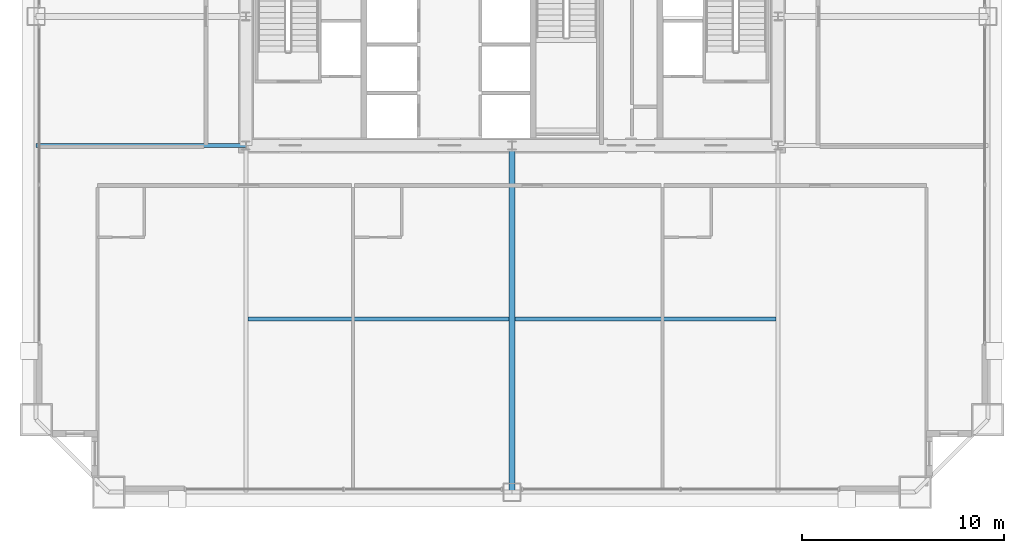
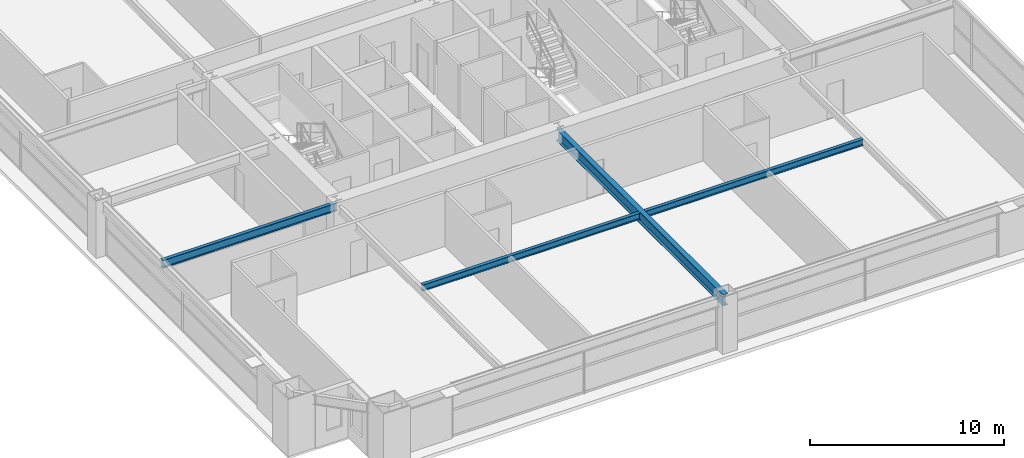
# One storey, part 10 of 37: 4 beams.
"""IFC4 building model written with IfcOpenShell, lengths in metres."""

from ifc_helpers import new_model, si_unit, direction, frame, origin, origin_2d, place, context, subcontext, project, spatial, i_section, extrude, source, transform, mapped, material, material_profile, profile_set, type_object, element, save


model = new_model("IFC4")

# Units and contexts
model_context = context("Model", 3, precision=1e-05, world=origin(), true_north=direction((0.0, 1.0)))
body_context = subcontext(model_context, "Body", "Model", "MODEL_VIEW")
ifc_project = project(units=[si_unit("LENGTHUNIT", "METRE"), si_unit("AREAUNIT", "SQUARE_METRE"), si_unit("VOLUMEUNIT", "CUBIC_METRE"), si_unit("PLANEANGLEUNIT", "RADIAN"), si_unit("MASSUNIT", "GRAM", prefix="KILO"), si_unit("THERMODYNAMICTEMPERATUREUNIT", "KELVIN"), si_unit("POWERUNIT", "WATT")], contexts=[model_context])

# Site, building, storey
site_placement = place(None, origin())
site = spatial("IfcSite", under=ifc_project, at=site_placement, CompositionType="ELEMENT")
building_placement = place(site_placement, origin())
building = spatial("IfcBuilding", under=site, at=building_placement, Name="Yuzanri Waterfront Tower", CompositionType="ELEMENT")
storey_placement = place(building_placement, frame((0.0, 0.0, 104.60009765625)))
storey = spatial("IfcBuildingStorey", under=building, at=storey_placement, Name="L27", CompositionType="ELEMENT", Elevation=104.60009765625)

# Beams
ifc_material_1 = material(Name="Steel Q355B", Category="steel")
ifc_material_profile_1 = material_profile(ifc_material_1, i_section(OverallWidth=0.199951171875, OverallDepth=0.39990234375, WebThickness=0.008056640625, FlangeThickness=0.012939453125, at=origin_2d()), Name="HN 400x200x8x13")
ifc_profile_set_1 = profile_set([ifc_material_profile_1], Name="Steel Q355B")
beam_type_1 = type_object("IfcBeamType", Name="Floor Joist Q355B HN 400x200", PredefinedType="JOIST", material=ifc_profile_set_1)
shared_shape_1 = source(origin(), body_context, "Body", "SweptSolid", [
    extrude(i_section(OverallWidth=0.199951171875, OverallDepth=0.39990234375, WebThickness=0.008056640625, FlangeThickness=0.012939453125, at=origin_2d()), origin(), (0.0, 0.0, 1.0), 12.9501953125),
])
for number, where, z_axis, x_axis, name in (
    (1, (23.89990234375, 10.800048828125, 3.179931640625), (1.0, 0.0, 0.0), (0.0, 1.0, 0.0), "L27 South Bay Joist W"),
    (2, (37.14990234375, 10.800048828125, 3.179931640625), (1.0, 0.0, 0.0), (0.0, 1.0, 0.0), "L27 South Bay Joist E"),
):
    element("IfcBeam", number, at=place(storey_placement, frame(where, z_axis=z_axis, x_axis=x_axis)), inside=storey, type_object=beam_type_1, Name=name, PredefinedType="JOIST", context=body_context, shape_type="MappedRepresentation", body=[
        mapped(shared_shape_1, transform((0.0, 0.0, 0.0), scale=1.0)),
    ])
ifc_material_2 = material(Name="Steel Q355B", Category="steel")
ifc_material_profile_2 = material_profile(ifc_material_2, i_section(OverallWidth=0.300048828125, OverallDepth=0.699951171875, WebThickness=0.012939453125, FlangeThickness=0.02392578125, at=origin_2d()), Name="HN 700x300x13x24")
ifc_profile_set_2 = profile_set([ifc_material_profile_2], Name="Steel Q355B")
beam_type_2 = type_object("IfcBeamType", Name="Primary Floor Girder Q355B HN 700x300", PredefinedType="BEAM", material=ifc_profile_set_2)
shared_shape_2 = source(origin(), body_context, "Body", "SweptSolid", [
    extrude(i_section(OverallWidth=0.300048828125, OverallDepth=0.699951171875, WebThickness=0.012939453125, FlangeThickness=0.02392578125, at=origin_2d()), origin(), (0.0, 0.0, 1.0), 17.199951171875),
])
beam_1_placement = place(storey_placement, frame((37.0, 19.39990234375, 3.02978515625), z_axis=(0.0, -1.0, 0.0), x_axis=(1.0, 0.0, 0.0)))
element("IfcBeam", 3, at=beam_1_placement, inside=storey, type_object=beam_type_2, Name="L27 South Grid Girder", PredefinedType="BEAM", context=body_context, shape_type="MappedRepresentation", body=[
    mapped(shared_shape_2, transform((0.0, 0.0, 0.0), scale=1.0)),
])
ifc_material_3 = material(Name="Steel Q355B", Category="steel")
ifc_material_profile_3 = material_profile(ifc_material_3, i_section(OverallWidth=0.199951171875, OverallDepth=0.5, WebThickness=0.010009765625, FlangeThickness=0.01611328125, at=origin_2d()), Name="HN 500x200x10x16")
ifc_profile_set_3 = profile_set([ifc_material_profile_3], Name="Steel Q355B")
beam_type_3 = type_object("IfcBeamType", Name="Secondary Floor Beam Q355B HN 500x200", PredefinedType="BEAM", material=ifc_profile_set_3)
shared_shape_3 = source(origin(), body_context, "Body", "SweptSolid", [
    extrude(i_section(OverallWidth=0.199951171875, OverallDepth=0.5, WebThickness=0.010009765625, FlangeThickness=0.01611328125, at=origin_2d()), origin(), (0.0, 0.0, 1.0), 10.400146484375),
])
beam_2_placement = place(storey_placement, frame((23.800048828125, 19.39990234375, 3.1298828125), z_axis=(-1.0, 0.0, 0.0), x_axis=(0.0, -1.0, 0.0)))
element("IfcBeam", 4, at=beam_2_placement, inside=storey, type_object=beam_type_3, Name="L27 West-South Core Line Beam", PredefinedType="BEAM", context=body_context, shape_type="MappedRepresentation", body=[
    mapped(shared_shape_3, transform((0.0, 0.0, 0.0), scale=1.0)),
])

save(model, "model.ifc")
